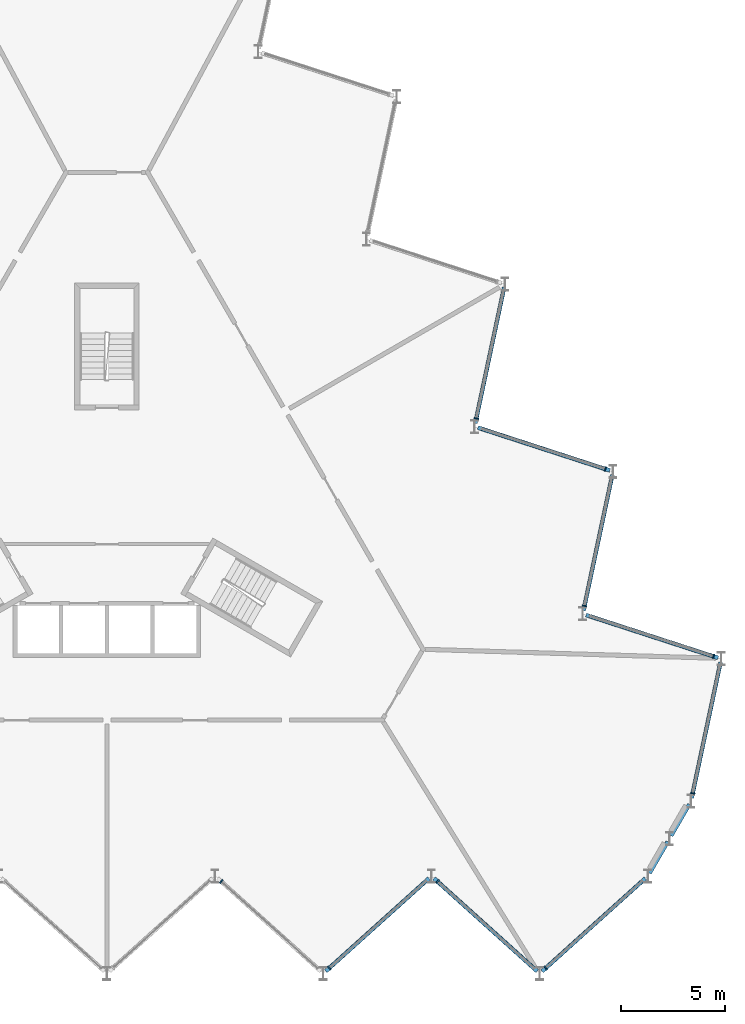
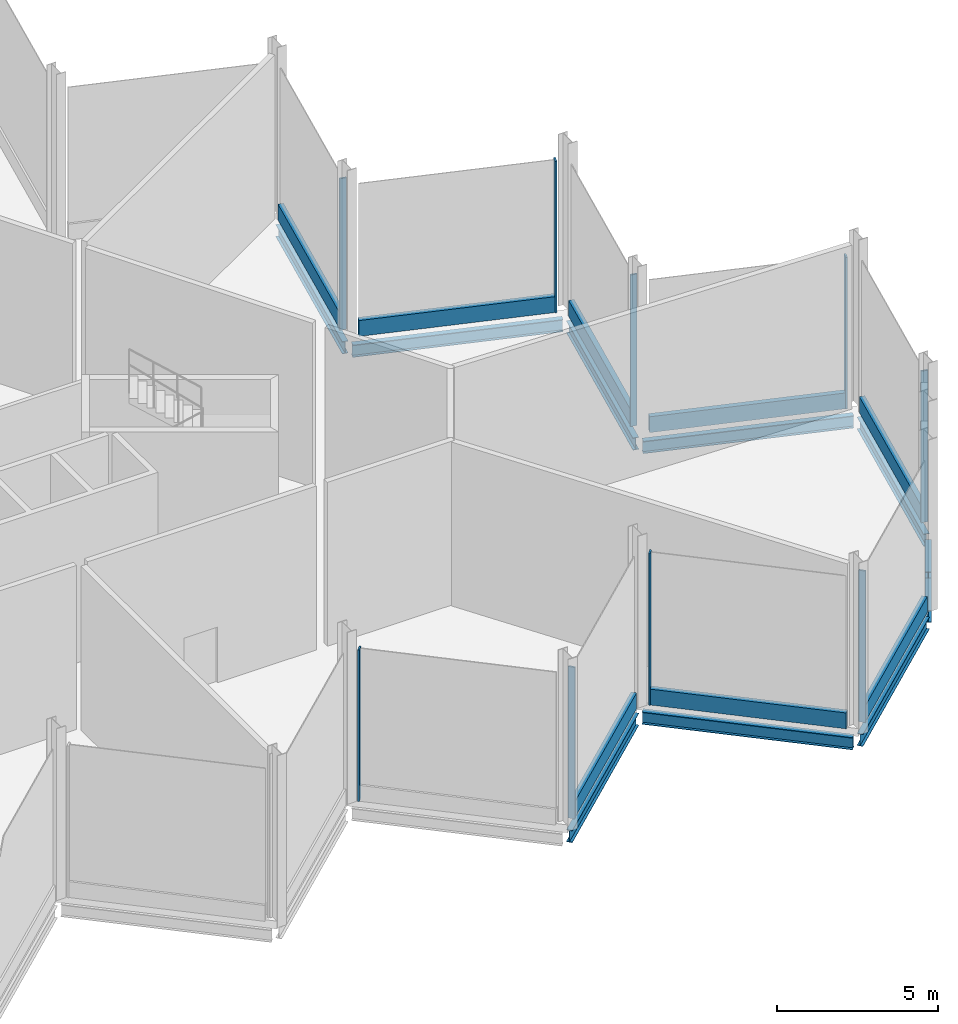
# One storey, part 6 of 12: 17 members, 10 beams, 9 elements without a shape of their own.
"""IFC4 building model written with IfcOpenShell, lengths in metres."""

from ifc_helpers import new_model, si_unit, direction, frame, origin, origin_2d, place, context, subcontext, project, spatial, rectangle, i_section, extrude, material, layer, layer_set, material_profile, profile_set, type_object, element, aggregate, save


model = new_model("IFC4")

# Units and contexts
model_context = context("Model", 3, precision=1e-05, world=origin(), true_north=direction((0.0, 1.0)))
body_context = subcontext(model_context, "Body", "Model", "MODEL_VIEW")
ifc_project = project(units=[si_unit("LENGTHUNIT", "METRE"), si_unit("AREAUNIT", "SQUARE_METRE"), si_unit("VOLUMEUNIT", "CUBIC_METRE"), si_unit("PLANEANGLEUNIT", "RADIAN"), si_unit("MASSUNIT", "GRAM", prefix="KILO")], contexts=[model_context])

# Site, building, storey
site_placement = place(None, origin())
site = spatial("IfcSite", under=ifc_project, at=site_placement, CompositionType="ELEMENT")
building_placement = place(site_placement, origin())
building = spatial("IfcBuilding", under=site, at=building_placement, Name="Cormorant Prow Tower", CompositionType="ELEMENT")
storey_placement = place(building_placement, frame((0.0, 0.0, 415.199951171875)))
storey = spatial("IfcBuildingStorey", under=building, at=storey_placement, Name="L94", CompositionType="ELEMENT", Elevation=415.199951171875)

# Curtain wall, member
ifc_material_1 = material(Name="Aluminium 6063-T6", Category="aluminium")
ifc_layer = layer(ifc_material_1, 0.219970703125)
ifc_layer_set = layer_set([ifc_layer], Name="Aluminium 6063-T6")
curtain_wall_type = type_object("IfcCurtainWallType", Name="Crown unitised curtain wall 220", PredefinedType="NOTDEFINED", material=ifc_layer_set)
curtain_wall_1_placement = place(storey_placement, origin())
curtain_wall_1 = element("IfcCurtainWall", 1, at=curtain_wall_1_placement, inside=storey, type_object=curtain_wall_type, Name="Crown curtain wall crown S06", PredefinedType="NOTDEFINED")
ifc_material_2 = material(Name="Aluminium 6063-T6", Category="aluminium")
ifc_material_profile_1 = material_profile(ifc_material_2, rectangle(XDim=0.219970703125, YDim=0.06005859375, at=origin_2d()), Name="Crown mullion 60x220")
ifc_profile_set_1 = profile_set([ifc_material_profile_1], Name="Aluminium 6063-T6")
member_type_1 = type_object("IfcMemberType", Name="Crown mullion 60x220", PredefinedType="MULLION", material=ifc_profile_set_1)
member_1_placement = place(storey_placement, frame((5.494384765625, -17.670654296875, 0.0), z_axis=(0.0, 0.0, 1.0), x_axis=(0.669130603959, 0.743144827638, 0.0)))
member_1 = element("IfcMember", 2, at=member_1_placement, type_object=member_type_1, Name="Crown mullion crown S06", PredefinedType="MULLION", context=body_context, shape_type="SweptSolid", body=[
    extrude(rectangle(XDim=0.219970703125, YDim=0.06005859375, at=origin_2d()), origin(), (0.0, 0.0, 1.0), 5.73388671875),
])
aggregate(curtain_wall_1, [member_1])

curtain_wall_2_placement = place(storey_placement, origin())
curtain_wall_2 = element("IfcCurtainWall", 3, at=curtain_wall_2_placement, inside=storey, type_object=curtain_wall_type, Name="Crown curtain wall crown S07", PredefinedType="NOTDEFINED")
member_2_placement = place(storey_placement, frame((10.6943359375, -21.82275390625, 0.0), z_axis=(0.0, 0.0, 1.0), x_axis=(-0.669130603959, 0.743144827638, 0.0)))
member_2 = element("IfcMember", 4, at=member_2_placement, type_object=member_type_1, Name="Crown mullion crown S07", PredefinedType="MULLION", context=body_context, shape_type="SweptSolid", body=[
    extrude(rectangle(XDim=0.219970703125, YDim=0.06005859375, at=origin_2d()), origin(), (0.0, 0.0, 1.0), 5.73388671875),
])

curtain_wall_3_placement = place(storey_placement, origin())
curtain_wall_3 = element("IfcCurtainWall", 5, at=curtain_wall_3_placement, inside=storey, type_object=curtain_wall_type, Name="Crown curtain wall crown S08", PredefinedType="NOTDEFINED")
member_3_placement = place(storey_placement, frame((15.894287109375, -17.670654296875, 0.0), z_axis=(0.0, 0.0, 1.0), x_axis=(0.669130603959, 0.743144827638, 0.0)))
member_3 = element("IfcMember", 6, at=member_3_placement, type_object=member_type_1, Name="Crown mullion crown S08", PredefinedType="MULLION", context=body_context, shape_type="SweptSolid", body=[
    extrude(rectangle(XDim=0.219970703125, YDim=0.06005859375, at=origin_2d()), origin(), (0.0, 0.0, 1.0), 5.73388671875),
])

curtain_wall_4_placement = place(storey_placement, origin())
curtain_wall_4 = element("IfcCurtainWall", 7, at=curtain_wall_4_placement, inside=storey, type_object=curtain_wall_type, Name="Crown curtain wall crown S09", PredefinedType="NOTDEFINED")
member_4_placement = place(storey_placement, frame((21.09423828125, -21.82275390625, 0.0), z_axis=(0.0, 0.0, 1.0), x_axis=(-0.669130603959, 0.743144827638, 0.0)))
member_4 = element("IfcMember", 8, at=member_4_placement, type_object=member_type_1, Name="Crown mullion crown S09", PredefinedType="MULLION", context=body_context, shape_type="SweptSolid", body=[
    extrude(rectangle(XDim=0.219970703125, YDim=0.06005859375, at=origin_2d()), origin(), (0.0, 0.0, 1.0), 5.73388671875),
])

curtain_wall_5_placement = place(storey_placement, origin())
curtain_wall_5 = element("IfcCurtainWall", 9, at=curtain_wall_5_placement, inside=storey, type_object=curtain_wall_type, Name="Crown curtain wall crown ENE00", PredefinedType="NOTDEFINED")
member_5_placement = place(storey_placement, frame((28.15625, -13.426513671875, 0.0), z_axis=(0.0, 0.0, 1.0), x_axis=(-0.978147615768, 0.207911620089, 0.0)))
member_5 = element("IfcMember", 10, at=member_5_placement, type_object=member_type_1, Name="Crown mullion crown ENE00", PredefinedType="MULLION", context=body_context, shape_type="SweptSolid", body=[
    extrude(rectangle(XDim=0.219970703125, YDim=0.06005859375, at=origin_2d()), origin(), (0.0, 0.0, 1.0), 5.73388671875),
])

curtain_wall_6_placement = place(storey_placement, origin())
curtain_wall_6 = element("IfcCurtainWall", 11, at=curtain_wall_6_placement, inside=storey, type_object=curtain_wall_type, Name="Crown curtain wall crown ENE01", PredefinedType="NOTDEFINED")
member_6_placement = place(storey_placement, frame((29.152099609375, -6.846923828125, 0.0), z_axis=(0.0, 0.0, 1.0), x_axis=(-0.309016937108, -0.951056534902, 0.0)))
member_6 = element("IfcMember", 12, at=member_6_placement, type_object=member_type_1, Name="Crown mullion crown ENE01", PredefinedType="MULLION", context=body_context, shape_type="SweptSolid", body=[
    extrude(rectangle(XDim=0.219970703125, YDim=0.06005859375, at=origin_2d()), origin(), (0.0, 0.0, 1.0), 5.73388671875),
])

curtain_wall_7_placement = place(storey_placement, origin())
curtain_wall_7 = element("IfcCurtainWall", 13, at=curtain_wall_7_placement, inside=storey, type_object=curtain_wall_type, Name="Crown curtain wall crown ENE02", PredefinedType="NOTDEFINED")
member_7_placement = place(storey_placement, frame((22.9560546875, -4.419677734375, 0.0), z_axis=(0.0, 0.0, 1.0), x_axis=(-0.978147615768, 0.207911620089, 0.0)))
member_7 = element("IfcMember", 14, at=member_7_placement, type_object=member_type_1, Name="Crown mullion crown ENE02", PredefinedType="MULLION", context=body_context, shape_type="SweptSolid", body=[
    extrude(rectangle(XDim=0.219970703125, YDim=0.06005859375, at=origin_2d()), origin(), (0.0, 0.0, 1.0), 5.73388671875),
])

curtain_wall_8_placement = place(storey_placement, origin())
curtain_wall_8 = element("IfcCurtainWall", 15, at=curtain_wall_8_placement, inside=storey, type_object=curtain_wall_type, Name="Crown curtain wall crown ENE03", PredefinedType="NOTDEFINED")
member_8_placement = place(storey_placement, frame((23.951904296875, 2.15966796875, 0.0), z_axis=(0.0, 0.0, 1.0), x_axis=(-0.309017066365, -0.951056492904, 0.0)))
member_8 = element("IfcMember", 16, at=member_8_placement, type_object=member_type_1, Name="Crown mullion crown ENE03", PredefinedType="MULLION", context=body_context, shape_type="SweptSolid", body=[
    extrude(rectangle(XDim=0.219970703125, YDim=0.06005859375, at=origin_2d()), origin(), (0.0, 0.0, 1.0), 5.73388671875),
])

curtain_wall_9_placement = place(storey_placement, origin())
curtain_wall_9 = element("IfcCurtainWall", 17, at=curtain_wall_9_placement, inside=storey, type_object=curtain_wall_type, Name="Crown curtain wall crown ENE04", PredefinedType="NOTDEFINED")
member_9_placement = place(storey_placement, frame((17.756103515625, 4.5869140625, 0.0), z_axis=(0.0, 0.0, 1.0), x_axis=(-0.978147609588, 0.207911649162, 0.0)))
member_9 = element("IfcMember", 18, at=member_9_placement, type_object=member_type_1, Name="Crown mullion crown ENE04", PredefinedType="MULLION", context=body_context, shape_type="SweptSolid", body=[
    extrude(rectangle(XDim=0.219970703125, YDim=0.06005859375, at=origin_2d()), origin(), (0.0, 0.0, 1.0), 5.73388671875),
])

# Beams
ifc_material_3 = material(Name="Structural steel ASTM A992 Gr 50", Category="steel")
ifc_material_profile_2 = material_profile(ifc_material_3, i_section(OverallWidth=0.19287109375, OverallDepth=0.466064453125, WebThickness=0.011474609375, FlangeThickness=0.01904296875, at=origin_2d()), Name="W18x65")
ifc_profile_set_2 = profile_set([ifc_material_profile_2], Name="Structural steel ASTM A992 Gr 50")
beam_type = type_object("IfcBeamType", Name="Crown ring beam W18x65", PredefinedType="SPANDREL", material=ifc_profile_set_2)
beam_1_placement = place(storey_placement, frame((10.521240234375, -21.978515625, -0.532958984375), z_axis=(0.743155826906, 0.669118387832, 0.0), x_axis=(-0.669118387832, 0.743155826906, 0.0)))
element("IfcBeam", 19, at=beam_1_placement, inside=storey, type_object=beam_type, Name="Crown ring beam SB5 S07-S08 L94", PredefinedType="SPANDREL", context=body_context, shape_type="SweptSolid", body=[
    extrude(i_section(OverallWidth=0.19287109375, OverallDepth=0.466064453125, WebThickness=0.011474609375, FlangeThickness=0.01904296875, at=origin_2d()), origin(), (0.0, 0.0, 1.0), 6.6708984375),
])
for number, where, z_axis, x_axis, name in (
    (20, (15.721435546875, -17.514892578125, -0.532958984375), (0.743139440672, -0.669136586743, 0.0), (0.669136586743, 0.743139440672, 0.0), "Crown ring beam SB5 S08-S09 L94"),
    (21, (20.92138671875, -21.978515625, -0.532958984375), (0.743139440672, 0.669136586743, 0.0), (-0.669136586743, 0.743139440672, 0.0), "Crown ring beam SB5 S09-ESE00 L94"),
):
    element("IfcBeam", number, at=place(storey_placement, frame(where, z_axis=z_axis, x_axis=x_axis)), inside=storey, type_object=beam_type, Name=name, PredefinedType="SPANDREL", context=body_context, shape_type="SweptSolid", body=[
        extrude(i_section(OverallWidth=0.19287109375, OverallDepth=0.466064453125, WebThickness=0.011474609375, FlangeThickness=0.01904296875, at=origin_2d()), origin(), (0.0, 0.0, 1.0), 6.670654296875),
    ])
for number, where, z_axis, x_axis, name in (
    (22, (26.08154296875, -17.264404296875, -0.532958984375), (0.500061095026, 0.865990127681, 0.0), (-0.865990127681, 0.500061095026, 0.0), "Crown ring beam SB5 ESE00-ESE01 L94"),
    (23, (27.118408203125, -15.46826171875, -0.532958984375), (0.500061095026, 0.865990127681, 0.0), (-0.865990127681, 0.500061095026, 0.0), "Crown ring beam SB5 ESE01-ENE00 L94"),
):
    element("IfcBeam", number, at=place(storey_placement, frame(where, z_axis=z_axis, x_axis=x_axis)), inside=storey, type_object=beam_type, Name=name, PredefinedType="SPANDREL", context=body_context, shape_type="SweptSolid", body=[
        extrude(i_section(OverallWidth=0.19287109375, OverallDepth=0.466064453125, WebThickness=0.011474609375, FlangeThickness=0.01904296875, at=origin_2d()), origin(), (0.0, 0.0, 1.0), 1.747314453125),
    ])
for number, where, z_axis, x_axis, name in (
    (24, (28.107666015625, -13.654052734375, -0.532958984375), (0.207919161079, 0.978146012851, 0.0), (-0.978146012851, 0.207919161079, 0.0), "Crown ring beam SB5 ENE00-ENE01 L94"),
    (25, (29.373291015625, -6.9189453125, -0.532958984375), (-0.95106042314, 0.309004970083, 0.0), (-0.309004970083, -0.95106042314, 0.0), "Crown ring beam SB5 ENE01-ENE02 L94"),
):
    element("IfcBeam", number, at=place(storey_placement, frame(where, z_axis=z_axis, x_axis=x_axis)), inside=storey, type_object=beam_type, Name=name, PredefinedType="SPANDREL", context=body_context, shape_type="SweptSolid", body=[
        extrude(i_section(OverallWidth=0.19287109375, OverallDepth=0.466064453125, WebThickness=0.011474609375, FlangeThickness=0.01904296875, at=origin_2d()), origin(), (0.0, 0.0, 1.0), 6.670654296875),
    ])
beam_2_placement = place(storey_placement, frame((22.90771484375, -4.6474609375, -0.532958984375), z_axis=(0.207911717999, 0.978147594956, 0.0), x_axis=(-0.978147594956, 0.207911717999, 0.0)))
element("IfcBeam", 26, at=beam_2_placement, inside=storey, type_object=beam_type, Name="Crown ring beam SB5 ENE02-ENE03 L94", PredefinedType="SPANDREL", context=body_context, shape_type="SweptSolid", body=[
    extrude(i_section(OverallWidth=0.19287109375, OverallDepth=0.466064453125, WebThickness=0.011474609375, FlangeThickness=0.01904296875, at=origin_2d()), origin(), (0.0, 0.0, 1.0), 6.6708984375),
])
beam_3_placement = place(storey_placement, frame((24.17333984375, 2.087646484375, -0.532958984375), z_axis=(-0.951049666898, 0.309038073858, 0.0), x_axis=(-0.309038073858, -0.951049666898, 0.0)))
element("IfcBeam", 27, at=beam_3_placement, inside=storey, type_object=beam_type, Name="Crown ring beam SB5 ENE03-ENE04 L94", PredefinedType="SPANDREL", context=body_context, shape_type="SweptSolid", body=[
    extrude(i_section(OverallWidth=0.19287109375, OverallDepth=0.466064453125, WebThickness=0.011474609375, FlangeThickness=0.01904296875, at=origin_2d()), origin(), (0.0, 0.0, 1.0), 6.670654296875),
])
beam_4_placement = place(storey_placement, frame((17.707763671875, 4.359130859375, -0.532958984375), z_axis=(0.207911717999, 0.978147594956, 0.0), x_axis=(-0.978147594956, 0.207911717999, 0.0)))
element("IfcBeam", 28, at=beam_4_placement, inside=storey, type_object=beam_type, Name="Crown ring beam SB5 ENE04-ENE05 L94", PredefinedType="SPANDREL", context=body_context, shape_type="SweptSolid", body=[
    extrude(i_section(OverallWidth=0.19287109375, OverallDepth=0.466064453125, WebThickness=0.011474609375, FlangeThickness=0.01904296875, at=origin_2d()), origin(), (0.0, 0.0, 1.0), 6.6708984375),
])

# Member
ifc_material_4 = material(Name="Terracotta", Category="masonry")
ifc_material_profile_3 = material_profile(ifc_material_4, rectangle(XDim=0.179931640625, YDim=0.60009765625, at=origin_2d()), Name="Crown terracotta spandrel rail 180x600")
ifc_profile_set_3 = profile_set([ifc_material_profile_3], Name="Terracotta")
member_type_2 = type_object("IfcMemberType", Name="Crown terracotta spandrel rail 180x600", PredefinedType="USERDEFINED", material=ifc_profile_set_3)
member_10_placement = place(storey_placement, frame((10.716552734375, -21.802734375, 0.300048828125), z_axis=(0.743159145999, 0.669114701466, 0.0), x_axis=(-0.669114701466, 0.743159145999, 0.0)))
member_10 = element("IfcMember", 29, at=member_10_placement, type_object=member_type_2, Name="Crown spandrel rail crown S07", ObjectType="TRANSOM", PredefinedType="USERDEFINED", context=body_context, shape_type="SweptSolid", body=[
    extrude(rectangle(XDim=0.179931640625, YDim=0.60009765625, at=origin_2d()), origin(), (0.0, 0.0, 1.0), 6.205322265625),
])

aggregate(curtain_wall_2, [member_2, member_10])

member_11_placement = place(storey_placement, frame((15.91650390625, -17.690673828125, 0.300048828125), z_axis=(0.743139582304, -0.669136429447, 0.0), x_axis=(0.669136429447, 0.743139582304, 0.0)))
member_11 = element("IfcMember", 30, at=member_11_placement, type_object=member_type_2, Name="Crown spandrel rail crown S08", ObjectType="TRANSOM", PredefinedType="USERDEFINED", context=body_context, shape_type="SweptSolid", body=[
    extrude(rectangle(XDim=0.179931640625, YDim=0.60009765625, at=origin_2d()), origin(), (0.0, 0.0, 1.0), 6.20556640625),
])

aggregate(curtain_wall_3, [member_3, member_11])

member_12_placement = place(storey_placement, frame((21.11669921875, -21.802734375, 0.300048828125), z_axis=(0.743141530577, 0.669134265699, 0.0), x_axis=(-0.669134265699, 0.743141530577, 0.0)))
member_12 = element("IfcMember", 31, at=member_12_placement, type_object=member_type_2, Name="Crown spandrel rail crown S09", ObjectType="TRANSOM", PredefinedType="USERDEFINED", context=body_context, shape_type="SweptSolid", body=[
    extrude(rectangle(XDim=0.179931640625, YDim=0.60009765625, at=origin_2d()), origin(), (0.0, 0.0, 1.0), 6.205078125),
])

aggregate(curtain_wall_4, [member_4, member_12])

member_13_placement = place(storey_placement, frame((28.162353515625, -13.397216796875, 0.300048828125), z_axis=(0.207927454003, 0.978144250033, 0.0), x_axis=(-0.978144250033, 0.207927454003, 0.0)))
member_13 = element("IfcMember", 32, at=member_13_placement, type_object=member_type_2, Name="Crown spandrel rail crown ENE00", ObjectType="TRANSOM", PredefinedType="USERDEFINED", context=body_context, shape_type="SweptSolid", body=[
    extrude(rectangle(XDim=0.179931640625, YDim=0.60009765625, at=origin_2d()), origin(), (0.0, 0.0, 1.0), 6.20556640625),
])

aggregate(curtain_wall_5, [member_5, member_13])

member_14_placement = place(storey_placement, frame((29.12353515625, -6.837890625, 0.300048828125), z_axis=(-0.951048234918, 0.309042480672, 0.0), x_axis=(-0.309042480672, -0.951048234918, 0.0)))
member_14 = element("IfcMember", 33, at=member_14_placement, type_object=member_type_2, Name="Crown spandrel rail crown ENE01", ObjectType="TRANSOM", PredefinedType="USERDEFINED", context=body_context, shape_type="SweptSolid", body=[
    extrude(rectangle(XDim=0.179931640625, YDim=0.60009765625, at=origin_2d()), origin(), (0.0, 0.0, 1.0), 6.205322265625),
])

aggregate(curtain_wall_6, [member_6, member_14])

member_15_placement = place(storey_placement, frame((22.96240234375, -4.390380859375, 0.300048828125), z_axis=(0.207897812215, 0.978150550619, 0.0), x_axis=(-0.978150550619, 0.207897812215, 0.0)))
member_15 = element("IfcMember", 34, at=member_15_placement, type_object=member_type_2, Name="Crown spandrel rail crown ENE02", ObjectType="TRANSOM", PredefinedType="USERDEFINED", context=body_context, shape_type="SweptSolid", body=[
    extrude(rectangle(XDim=0.179931640625, YDim=0.60009765625, at=origin_2d()), origin(), (0.0, 0.0, 1.0), 6.205078125),
])

aggregate(curtain_wall_7, [member_7, member_15])

member_16_placement = place(storey_placement, frame((23.923583984375, 2.1689453125, 0.300048828125), z_axis=(-0.951059797983, 0.309006894194, 0.0), x_axis=(-0.309006894194, -0.951059797983, 0.0)))
member_16 = element("IfcMember", 35, at=member_16_placement, type_object=member_type_2, Name="Crown spandrel rail crown ENE03", ObjectType="TRANSOM", PredefinedType="USERDEFINED", context=body_context, shape_type="SweptSolid", body=[
    extrude(rectangle(XDim=0.179931640625, YDim=0.60009765625, at=origin_2d()), origin(), (0.0, 0.0, 1.0), 6.205322265625),
])

aggregate(curtain_wall_8, [member_8, member_16])

member_17_placement = place(storey_placement, frame((17.762451171875, 4.6162109375, 0.300048828125), z_axis=(0.207897812215, 0.978150550619, 0.0), x_axis=(-0.978150550619, 0.207897812215, 0.0)))
member_17 = element("IfcMember", 36, at=member_17_placement, type_object=member_type_2, Name="Crown spandrel rail crown ENE04", ObjectType="TRANSOM", PredefinedType="USERDEFINED", context=body_context, shape_type="SweptSolid", body=[
    extrude(rectangle(XDim=0.179931640625, YDim=0.60009765625, at=origin_2d()), origin(), (0.0, 0.0, 1.0), 6.205078125),
])

aggregate(curtain_wall_9, [member_9, member_17])

save(model, "model.ifc")
